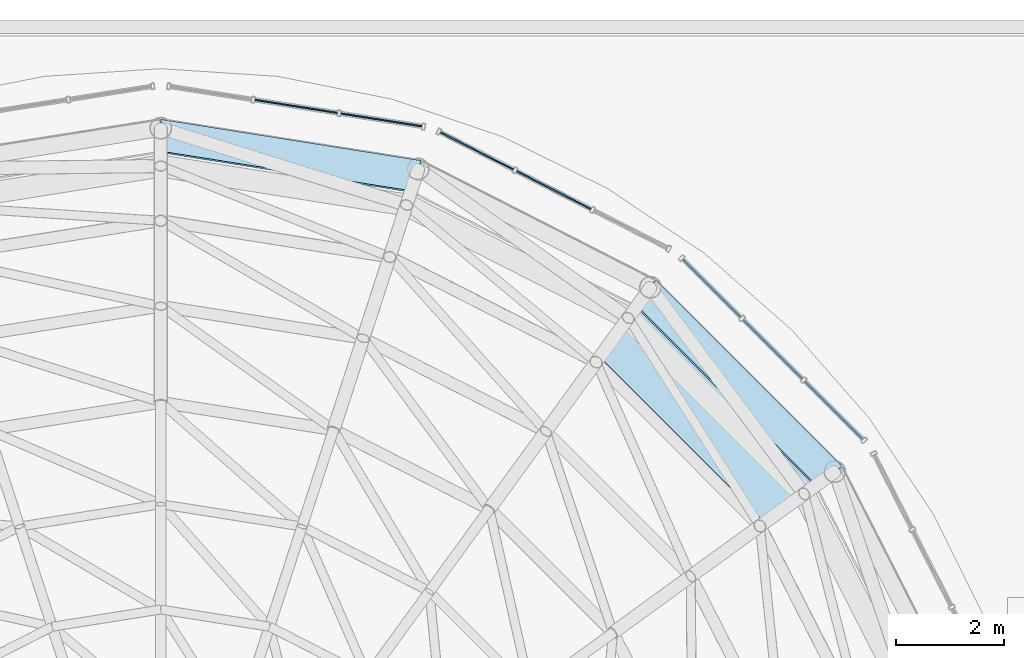
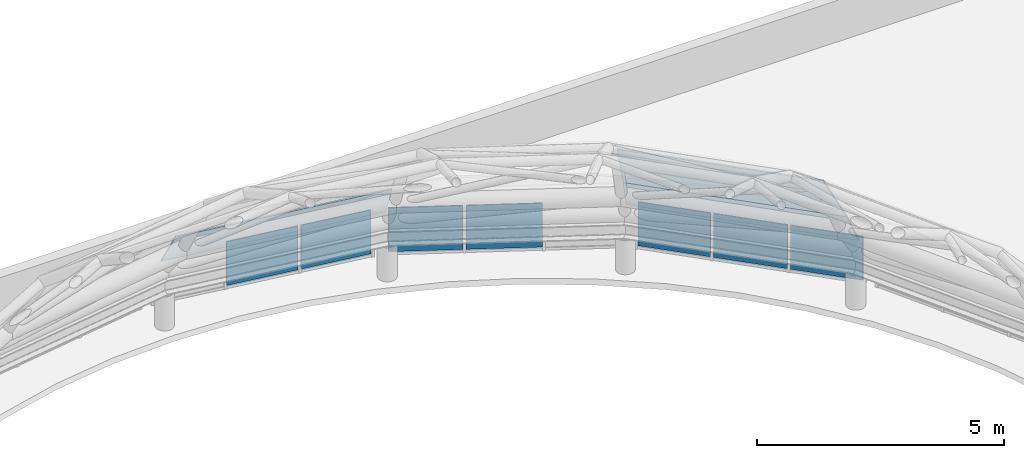
# One storey, part 46 of 69: 10 plates, 3 elements without a shape of their own.
"""IFC4 building model written with IfcOpenShell, lengths in metres."""

from ifc_helpers import new_model, si_unit, direction, frame, origin, origin_2d, place, context, subcontext, project, spatial, polyline, rectangle, outline, extrude, material, layer, layer_set, type_object, element, aggregate, save


model = new_model("IFC4")

# Units and contexts
model_context = context("Model", 3, precision=1e-05, world=origin(), true_north=direction((0.0, 1.0)))
body_context = subcontext(model_context, "Body", "Model", "MODEL_VIEW")
ifc_project = project(units=[si_unit("LENGTHUNIT", "METRE"), si_unit("AREAUNIT", "SQUARE_METRE"), si_unit("VOLUMEUNIT", "CUBIC_METRE"), si_unit("PLANEANGLEUNIT", "RADIAN"), si_unit("MASSUNIT", "GRAM", prefix="KILO")], contexts=[model_context])

# Site, building, storey
site_placement = place(None, origin())
site = spatial("IfcSite", under=ifc_project, at=site_placement, CompositionType="ELEMENT")
building_placement = place(site_placement, origin())
building = spatial("IfcBuilding", under=site, at=building_placement, Name="Kallimachos Central Library", CompositionType="ELEMENT")
storey_placement = place(building_placement, frame((0.0, 0.0, 23.39990234375)))
storey = spatial("IfcBuildingStorey", under=building, at=storey_placement, Name="L05", CompositionType="ELEMENT", Elevation=23.39990234375)

# Plates
ifc_material_1 = material(Name="Laminated glass", Category="glass")
ifc_layer_1 = layer(ifc_material_1, 0.030029296875)
ifc_layer_set_1 = layer_set([ifc_layer_1], Name="Dome glass panel 30")
plate_type_1 = type_object("IfcPlateType", Name="Dome glass panel 30", PredefinedType="SHEET", material=ifc_layer_set_1)
plate_1_placement = place(storey_placement, frame((99.16796875, 112.51416015625, 4.098388671875), z_axis=(0.577037199739, 0.577059326246, 0.577953807938), x_axis=(0.471464573204, 0.342480549503, -0.812667354719)))
element("IfcPlate", 1, at=plate_1_placement, inside=storey, type_object=plate_type_1, Name="Dome glass panel", PredefinedType="SHEET", context=body_context, shape_type="SweptSolid", body=[
    extrude(outline(polyline([(0.0, 0.0), (2.0101508528320435, -1.3877787807814457e-16), (1.5827131901851257, 4.665908000919895), (-0.39391141418001485, 4.300943737323647), (0.0, 0.0)])), origin(), (0.0, 0.0, -1.0), 0.030029296875),
])
plate_2_placement = place(storey_placement, frame((100.11572265625, 113.20263671875, 2.46484375), z_axis=(0.60485826471, 0.604901979397, 0.517918984913), x_axis=(0.422813346908, 0.307185487028, -0.852564337887)))
element("IfcPlate", 2, at=plate_2_placement, inside=storey, type_object=plate_type_1, Name="Dome glass panel", PredefinedType="SHEET", context=body_context, shape_type="SweptSolid", body=[
    extrude(outline(polyline([(0.0, 0.0), (1.125394460607724, 0.0), (0.7271711888225966, 4.853162322484821), (-0.38317697068260337, 4.669751154204464), (0.0, 0.0)])), origin(), (0.0, 0.0, -1.0), 0.030029296875),
])
plate_3_placement = place(storey_placement, frame((92.627685546875, 118.642822265625, 2.46484375), z_axis=(0.133826210018, 0.84485581386, 0.517985713412), x_axis=(0.161630647357, 0.497080714899, -0.852517622522)))
element("IfcPlate", 3, at=plate_3_placement, inside=storey, type_object=plate_type_1, Name="Dome glass panel", PredefinedType="SHEET", context=body_context, shape_type="SweptSolid", body=[
    extrude(outline(polyline([(0.0, 0.0), (1.1253957535707488, 0.0), (0.7267788488495351, 4.85321116276577), (-0.38366030628171843, 4.6696290620162575), (0.0, 0.0)])), origin(), (0.0, 0.0, -1.0), 0.030029296875),
])

# Curtain wall, plates
ifc_material_2 = material(Name="Anodised aluminium and laminated glass", Category="aluminium")
ifc_layer_2 = layer(ifc_material_2, 0.159912109375)
ifc_layer_set_2 = layer_set([ifc_layer_2], Name="Glass box curtain wall")
curtain_wall_type = type_object("IfcCurtainWallType", Name="Glass box curtain wall", PredefinedType="NOTDEFINED", material=ifc_layer_set_2)
curtain_wall_1_placement = place(storey_placement, origin())
curtain_wall_1 = element("IfcCurtainWall", 4, at=curtain_wall_1_placement, inside=storey, type_object=curtain_wall_type, Name="Drum clerestory facet 3", PredefinedType="NOTDEFINED")
ifc_material_3 = material(Name="Laminated glass", Category="glass")
ifc_layer_3 = layer(ifc_material_3, 0.028076171875)
ifc_layer_set_3 = layer_set([ifc_layer_3], Name="Laminated glass panel 28")
plate_type_2 = type_object("IfcPlateType", Name="Laminated glass panel 28", PredefinedType="CURTAIN_PANEL", material=ifc_layer_set_3)
plate_4_placement = place(storey_placement, frame((100.441162109375, 114.586181640625, 0.06005859375), z_axis=(0.0, 0.0, 1.0), x_axis=(-0.707106781187, 0.707106781187, 0.0)))
plate_4 = element("IfcPlate", 5, at=plate_4_placement, type_object=plate_type_2, Name="CW37 panel 1.1", PredefinedType="CURTAIN_PANEL", context=body_context, shape_type="SweptSolid", body=[
    extrude(rectangle(XDim=1.51953125, YDim=0.028076171875, at=origin_2d()), origin(), (0.0, 0.0, 1.0), 1.080078125),
])
plate_5_placement = place(storey_placement, frame((99.313720703125, 115.713623046875, 0.06005859375), z_axis=(0.0, 0.0, 1.0), x_axis=(-0.707106781187, 0.707106781187, 0.0)))
plate_5 = element("IfcPlate", 6, at=plate_5_placement, type_object=plate_type_2, Name="CW37 panel 2.1", PredefinedType="CURTAIN_PANEL", context=body_context, shape_type="SweptSolid", body=[
    extrude(rectangle(XDim=1.549560546875, YDim=0.028076171875, at=origin_2d()), origin(), (0.0, 0.0, 1.0), 1.080078125),
])
plate_6_placement = place(storey_placement, frame((98.186279296875, 116.841064453125, 0.06005859375), z_axis=(0.0, 0.0, 1.0), x_axis=(-0.707106781187, 0.707106781187, 0.0)))
plate_6 = element("IfcPlate", 7, at=plate_6_placement, type_object=plate_type_2, Name="CW37 panel 3.1", PredefinedType="CURTAIN_PANEL", context=body_context, shape_type="SweptSolid", body=[
    extrude(rectangle(XDim=1.51953125, YDim=0.028076171875, at=origin_2d()), origin(), (0.0, 0.0, 1.0), 1.080078125),
])
aggregate(curtain_wall_1, [plate_4, plate_5, plate_6])

curtain_wall_2_placement = place(storey_placement, origin())
curtain_wall_2 = element("IfcCurtainWall", 8, at=curtain_wall_2_placement, inside=storey, type_object=curtain_wall_type, Name="Drum clerestory facet 4", PredefinedType="NOTDEFINED")
plate_7_placement = place(storey_placement, frame((95.263916015625, 118.656005859375, 0.06005859375), z_axis=(0.0, 0.0, 1.0), x_axis=(-0.891006369337, 0.453990803653, 0.0)))
plate_7 = element("IfcPlate", 9, at=plate_7_placement, type_object=plate_type_2, Name="CW38 panel 2.1", PredefinedType="CURTAIN_PANEL", context=body_context, shape_type="SweptSolid", body=[
    extrude(rectangle(XDim=1.54931640625, YDim=0.028076171875, at=origin_2d()), origin(), (0.0, 0.0, 1.0), 1.080078125),
])
plate_8_placement = place(storey_placement, frame((93.84326171875, 119.3798828125, 0.06005859375), z_axis=(0.0, 0.0, 1.0), x_axis=(-0.891006369337, 0.453990803653, 0.0)))
plate_8 = element("IfcPlate", 10, at=plate_8_placement, type_object=plate_type_2, Name="CW38 panel 3.1", PredefinedType="CURTAIN_PANEL", context=body_context, shape_type="SweptSolid", body=[
    extrude(rectangle(XDim=1.51953125, YDim=0.028076171875, at=origin_2d()), origin(), (0.0, 0.0, 1.0), 1.080078125),
])
aggregate(curtain_wall_2, [plate_7, plate_8])

curtain_wall_3_placement = place(storey_placement, origin())
curtain_wall_3 = element("IfcCurtainWall", 11, at=curtain_wall_3_placement, inside=storey, type_object=curtain_wall_type, Name="Drum clerestory facet 5", PredefinedType="NOTDEFINED")
plate_9_placement = place(storey_placement, frame((92.077880859375, 119.95361328125, 0.06005859375), z_axis=(0.0, 0.0, 1.0), x_axis=(-0.987688202185, 0.156435338924, 0.0)))
plate_9 = element("IfcPlate", 12, at=plate_9_placement, type_object=plate_type_2, Name="CW39 panel 1.1", PredefinedType="CURTAIN_PANEL", context=body_context, shape_type="SweptSolid", body=[
    extrude(rectangle(XDim=1.51953125, YDim=0.028076171875, at=origin_2d()), origin(), (0.0, 0.0, 1.0), 1.080078125),
])
plate_10_placement = place(storey_placement, frame((90.5029296875, 120.203125, 0.06005859375), z_axis=(0.0, 0.0, 1.0), x_axis=(-0.987688202185, 0.156435338924, 0.0)))
plate_10 = element("IfcPlate", 13, at=plate_10_placement, type_object=plate_type_2, Name="CW39 panel 2.1", PredefinedType="CURTAIN_PANEL", context=body_context, shape_type="SweptSolid", body=[
    extrude(rectangle(XDim=1.549560546875, YDim=0.028076171875, at=origin_2d()), origin(), (0.0, 0.0, 1.0), 1.080078125),
])
aggregate(curtain_wall_3, [plate_9, plate_10])

save(model, "model.ifc")
